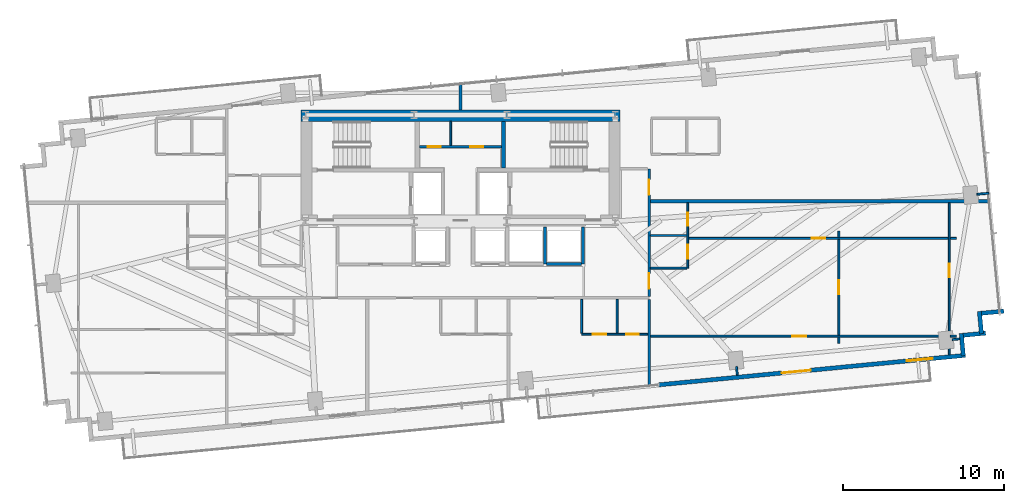
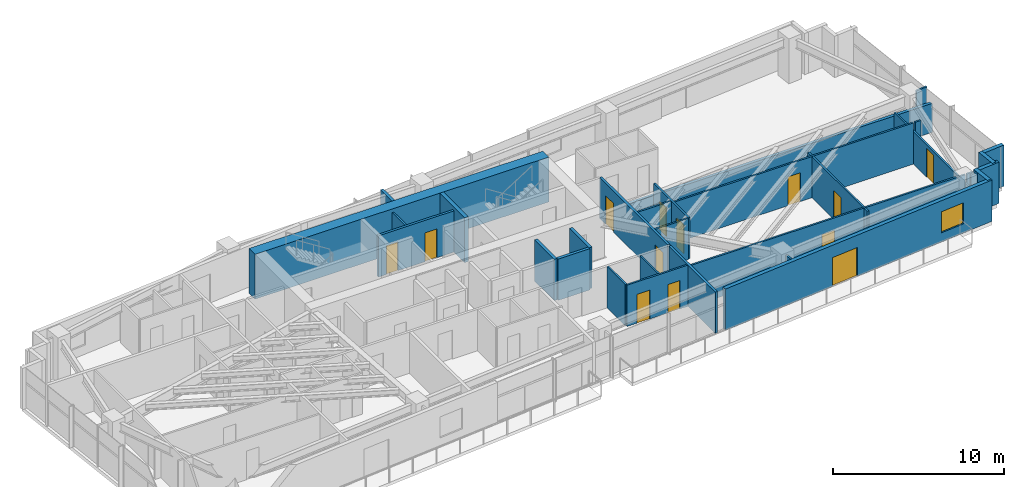
# One storey, part 23 of 27: 33 walls, 13 doors, 1 window, 14 openings.
"""IFC4 building model written with IfcOpenShell, lengths in metres."""

from ifc_helpers import new_model, si_unit, direction, frame, frame_2d, origin, place, context, subcontext, project, spatial, rectangle, extrude, source, transform, mapped, material, layer, layer_set, type_object, type_shapes, element, fill, save


model = new_model("IFC4")

# Units and contexts
model_context = context("Model", 3, precision=1e-05, world=origin(), true_north=direction((0.0, 1.0)))
body_context = subcontext(model_context, "Body", "Model", "MODEL_VIEW")
ifc_project = project(units=[si_unit("LENGTHUNIT", "METRE"), si_unit("AREAUNIT", "SQUARE_METRE"), si_unit("VOLUMEUNIT", "CUBIC_METRE"), si_unit("PLANEANGLEUNIT", "RADIAN"), si_unit("MASSUNIT", "GRAM", prefix="KILO")], contexts=[model_context])

# Site, building, storey
site_placement = place(None, origin())
site = spatial("IfcSite", under=ifc_project, at=site_placement, CompositionType="ELEMENT")
building_placement = place(site_placement, origin())
building = spatial("IfcBuilding", under=site, at=building_placement, Name="Astriad Promenade Condominiums", CompositionType="ELEMENT")
storey_placement = place(building_placement, frame((0.0, 0.0, 113.0)))
storey = spatial("IfcBuildingStorey", under=building, at=storey_placement, Name="L32", CompositionType="ELEMENT", Elevation=113.0)

# Walls
ifc_material_1 = material(Name="Concrete C60/75", Category="concrete")
ifc_layer_1 = layer(ifc_material_1, 0.699951171875)
ifc_layer_set_1 = layer_set([ifc_layer_1], Name="Concrete C60/75")
wall_type_1 = type_object("IfcWallType", Name="CW-SHEAR-700", PredefinedType="SHEAR", material=ifc_layer_set_1)
wall_1_placement = place(storey_placement, frame((26.10009765625, 23.949951171875, 0.0), z_axis=(0.0, 0.0, 1.0), x_axis=(1.0, 0.0, 0.0)))
element("IfcWall", 1, at=wall_1_placement, inside=storey, type_object=wall_type_1, Name="CW-CORE-N-L32", PredefinedType="SHEAR", context=body_context, shape_type="SweptSolid", body=[
    extrude(rectangle(XDim=19.7998046875, YDim=0.699951171875, at=frame_2d((9.89990234375, 0.0))), origin(), (0.0, 0.0, 1.0), 3.199951171875),
])
ifc_material_2 = material(Name="Concrete C50/60", Category="concrete")
ifc_layer_2 = layer(ifc_material_2, 0.25)
ifc_layer_set_2 = layer_set([ifc_layer_2], Name="Concrete C50/60")
wall_type_2 = type_object("IfcWallType", Name="WALL-CORE-INT-250", PredefinedType="SOLIDWALL", material=ifc_layer_set_2)
wall_2_placement = place(storey_placement, frame((38.675048828125, 20.701904296875, 0.0), z_axis=(0.0, 0.0, 1.0), x_axis=(0.0, 1.0, 0.0)))
element("IfcWall", 2, at=wall_2_placement, inside=storey, type_object=wall_type_2, Name="CW-ST2-W-L32", PredefinedType="SOLIDWALL", context=body_context, shape_type="SweptSolid", body=[
    extrude(rectangle(XDim=2.89599609375, YDim=0.25, at=frame_2d((1.447998046875, 0.0))), origin(), (0.0, 0.0, 1.0), 3.199951171875),
])

# Wall, openings, doors
ifc_material_3 = material(Name="Fire-Rated Gypsum Partition")
ifc_layer_3 = layer(ifc_material_3, 0.159912109375)
ifc_layer_set_3 = layer_set([ifc_layer_3], Name="Fire-Rated Gypsum Partition")
wall_type_3 = type_object("IfcWallType", Name="WALL-CORR-160", PredefinedType="PARTITIONING", material=ifc_layer_set_3)
wall_3_placement = place(storey_placement, frame((33.451904296875, 22.030029296875, 0.0), z_axis=(0.0, 0.0, 1.0), x_axis=(1.0, 0.0, 0.0)))
wall_3 = element("IfcWall", 3, at=wall_3_placement, inside=storey, type_object=wall_type_3, Name="CW-AUX-N-L32", PredefinedType="PARTITIONING", context=body_context, shape_type="SweptSolid", body=[
    extrude(rectangle(XDim=5.09619140625, YDim=0.159912109375, at=frame_2d((2.548095703125, 0.0))), origin(), (0.0, 0.0, 1.0), 2.93994140625),
])
opening_1_placement = place(wall_3_placement, frame((0.5380859375, 0.0, 0.0)))
opening_1 = element("IfcOpeningElement", 4, at=opening_1_placement, cuts=wall_3, Name="Opening FD60-SV-080", PredefinedType="OPENING", context=body_context, shape_type="SweptSolid", body=[
    extrude(rectangle(XDim=0.800048828125, YDim=2.050048828125, at=frame_2d((0.39990234375, 1.02490234375))), frame((0.0, 0.08984375, 0.0), z_axis=(0.0, -1.0, 0.0), x_axis=(1.0, 0.0, 0.0)), (0.0, 0.0, 1.0), 0.179931640625),
])
opening_2_placement = place(wall_3_placement, frame((3.157958984375, 0.0, 0.0)))
opening_2 = element("IfcOpeningElement", 5, at=opening_2_placement, cuts=wall_3, Name="Opening FD60-SV-080", PredefinedType="OPENING", context=body_context, shape_type="SweptSolid", body=[
    extrude(rectangle(XDim=0.800048828125, YDim=2.050048828125, at=frame_2d((0.39990234375, 1.02490234375))), frame((0.0, 0.08984375, 0.0), z_axis=(0.0, -1.0, 0.0), x_axis=(1.0, 0.0, 0.0)), (0.0, 0.0, 1.0), 0.179931640625),
])
ifc_material_4 = material(Name="Fire-Rated Riser Closet Door")
door_type_1 = type_object("IfcDoorType", Name="FD60-SV-080", OperationType="NOTDEFINED", PredefinedType="DOOR", material=ifc_material_4)
shared_shape_1 = source(origin(), body_context, "Body", "SweptSolid", [
    extrude(rectangle(XDim=0.800048828125, YDim=2.050048828125, at=frame_2d((0.39990234375, 1.02490234375))), frame((0.0, 0.02490234375, 0.0), z_axis=(0.0, -1.0, 0.0), x_axis=(1.0, 0.0, 0.0)), (0.0, 0.0, 1.0), 0.050048828125),
])
type_shapes(door_type_1, [shared_shape_1])
door_1_placement = place(opening_1_placement, origin())
door_1 = element("IfcDoor", 6, at=door_1_placement, inside=storey, type_object=door_type_1, Name="D-AUX1-L32", OperationType="SINGLE_SWING_RIGHT", OverallHeight=2.050048828125, OverallWidth=0.800048828125, PredefinedType="DOOR", context=body_context, shape_type="MappedRepresentation", body=[
    mapped(shared_shape_1, transform((0.0, 0.0, 0.0), scale=1.0)),
])
fill(opening_1, door_1)
door_2_placement = place(opening_2_placement, origin())
door_2 = element("IfcDoor", 7, at=door_2_placement, inside=storey, type_object=door_type_1, Name="D-AUX2-L32", OperationType="SINGLE_SWING_LEFT", OverallHeight=2.050048828125, OverallWidth=0.800048828125, PredefinedType="DOOR", context=body_context, shape_type="MappedRepresentation", body=[
    mapped(shared_shape_1, transform((0.0, 0.0, 0.0), scale=1.0)),
])
fill(opening_2, door_2)

# Wall
wall_4_placement = place(storey_placement, frame((47.699951171875, 7.152587890625, 0.0), z_axis=(0.0, 0.0, 1.0), x_axis=(0.0, 1.0, 0.0)))
element("IfcWall", 8, at=wall_4_placement, inside=storey, type_object=wall_type_3, Name="PT-COR-E-L32", PredefinedType="PARTITIONING", context=body_context, shape_type="SweptSolid", body=[
    extrude(rectangle(XDim=5.41552734375, YDim=0.159912109375, at=frame_2d((2.707763671875, 0.0))), origin(), (0.0, 0.0, 1.0), 2.93994140625),
])

# Wall, openings, doors
wall_5_placement = place(storey_placement, frame((47.699951171875, 12.73193359375, 0.0), z_axis=(0.0, 0.0, 1.0), x_axis=(0.0, 1.0, 0.0)))
wall_5 = element("IfcWall", 9, at=wall_5_placement, inside=storey, type_object=wall_type_3, Name="PT-COR-E-L32-S2", PredefinedType="PARTITIONING", context=body_context, shape_type="SweptSolid", body=[
    extrude(rectangle(XDim=7.91796875, YDim=0.159912109375, at=frame_2d((3.958984375, 0.0))), origin(), (0.0, 0.0, 1.0), 2.93994140625),
])
opening_3_placement = place(wall_5_placement, frame((0.492919921875, 0.0, 0.0)))
opening_3 = element("IfcOpeningElement", 10, at=opening_3_placement, cuts=wall_5, Name="Opening FD60-APT-095", PredefinedType="OPENING", context=body_context, shape_type="SweptSolid", body=[
    extrude(rectangle(XDim=0.949951171875, YDim=2.06005859375, at=frame_2d((0.47509765625, 1.030029296875))), frame((0.0, 0.08984375, 0.0), z_axis=(0.0, -1.0, 0.0), x_axis=(1.0, 0.0, 0.0)), (0.0, 0.0, 1.0), 0.179931640625),
])
opening_4_placement = place(wall_5_placement, frame((6.31103515625, 0.0, 0.0)))
opening_4 = element("IfcOpeningElement", 11, at=opening_4_placement, cuts=wall_5, Name="Opening FD60-APT-095", PredefinedType="OPENING", context=body_context, shape_type="SweptSolid", body=[
    extrude(rectangle(XDim=0.949951171875, YDim=2.06005859375, at=frame_2d((0.47509765625, 1.030029296875))), frame((0.0, 0.08984375, 0.0), z_axis=(0.0, -1.0, 0.0), x_axis=(1.0, 0.0, 0.0)), (0.0, 0.0, 1.0), 0.179931640625),
])
ifc_material_5 = material(Name="Solid-Core Acoustic Timber Residence Entry Door", Category="wood")
door_type_2 = type_object("IfcDoorType", Name="FD60-APT-095", OperationType="NOTDEFINED", PredefinedType="DOOR", material=ifc_material_5)
shared_shape_2 = source(origin(), body_context, "Body", "SweptSolid", [
    extrude(rectangle(XDim=0.949951171875, YDim=2.06005859375, at=frame_2d((0.47509765625, 1.030029296875))), frame((0.0, 0.02490234375, 0.0), z_axis=(0.0, -1.0, 0.0), x_axis=(1.0, 0.0, 0.0)), (0.0, 0.0, 1.0), 0.050048828125),
])
type_shapes(door_type_2, [shared_shape_2])
door_3_placement = place(opening_3_placement, origin())
door_3 = element("IfcDoor", 12, at=door_3_placement, inside=storey, type_object=door_type_2, Name="D-ENT-L32-E1", OperationType="SINGLE_SWING_LEFT", OverallHeight=2.06005859375, OverallWidth=0.949951171875, PredefinedType="DOOR", context=body_context, shape_type="MappedRepresentation", body=[
    mapped(shared_shape_2, transform((0.0, 0.0, 0.0), scale=1.0)),
])
fill(opening_3, door_3)
door_4_placement = place(opening_4_placement, origin())
door_4 = element("IfcDoor", 13, at=door_4_placement, inside=storey, type_object=door_type_2, Name="D-ENT-L32-E2", OperationType="SINGLE_SWING_RIGHT", OverallHeight=2.06005859375, OverallWidth=0.949951171875, PredefinedType="DOOR", context=body_context, shape_type="MappedRepresentation", body=[
    mapped(shared_shape_2, transform((0.0, 0.0, 0.0), scale=1.0)),
])
fill(opening_4, door_4)

# Walls
ifc_material_6 = material(Name="Acoustic Double-Stud Gypsum Partition")
ifc_layer_4 = layer(ifc_material_6, 0.199951171875)
ifc_layer_set_4 = layer_set([ifc_layer_4], Name="Acoustic Double-Stud Gypsum Partition")
wall_type_4 = type_object("IfcWallType", Name="WALL-DEMISING-200", PredefinedType="PARTITIONING", material=ifc_layer_set_4)
wall_6_placement = place(storey_placement, frame((36.0, 24.302001953125, 0.0), z_axis=(0.0, 0.0, 1.0), x_axis=(0.0, 1.0, 0.0)))
element("IfcWall", 14, at=wall_6_placement, inside=storey, type_object=wall_type_4, Name="PT-NC-MID-L32", PredefinedType="PARTITIONING", context=body_context, shape_type="SweptSolid", body=[
    extrude(rectangle(XDim=1.65576171875, YDim=0.199951171875, at=frame_2d((0.827880859375, 0.0))), origin(), (0.0, 0.0, 1.0), 2.93994140625),
])
wall_7_placement = place(storey_placement, frame((47.781982421875, 18.64990234375, 0.0), z_axis=(0.0, 0.0, 1.0), x_axis=(1.0, 0.0, 0.0)))
element("IfcWall", 15, at=wall_7_placement, inside=storey, type_object=wall_type_4, Name="PT-DEM-EE-L32", PredefinedType="PARTITIONING", context=body_context, shape_type="SweptSolid", body=[
    extrude(rectangle(XDim=21.04931640625, YDim=0.199951171875, at=frame_2d((10.524658203125, 0.0))), origin(), (0.0, 0.0, 1.0), 2.06298828125),
])
ifc_material_7 = material(Name="Precast concrete C50/60", Category="concrete")
ifc_layer_5 = layer(ifc_material_7, 0.260009765625)
ifc_layer_set_5 = layer_set([ifc_layer_5], Name="Precast concrete C50/60")
wall_type_5 = type_object("IfcWallType", Name="WALL-EXT-TWR-260", PredefinedType="STANDARD", material=ifc_layer_set_5)
for number, where, z_axis, x_axis, name in (
    (16, (69.698486328125, 11.83251953125, 0.0), (0.0, 0.0, 1.0), (-0.99540614245, -0.095742423056, 0.0), "W-SER-L32-14"),
    (17, (68.18310546875, 11.817138671875, 0.0), (0.0, 0.0, 1.0), (0.095915846097, -0.995389446633, 0.0), "W-SER-L32-15"),
):
    element("IfcWall", number, at=place(storey_placement, frame(where, z_axis=z_axis, x_axis=x_axis)), inside=storey, type_object=wall_type_5, Name=name, PredefinedType="STANDARD", context=body_context, shape_type="SweptSolid", body=[
        extrude(rectangle(XDim=1.394775390625, YDim=0.260009765625, at=frame_2d((0.697265625, 0.0))), origin(), (0.0, 0.0, 1.0), 2.93994140625),
    ])
wall_8_placement = place(storey_placement, frame((68.57421875, 10.468505859375, 0.0), z_axis=(0.0, 0.0, 1.0), x_axis=(-0.99540774648, -0.095725744959, 0.0)))
element("IfcWall", 18, at=wall_8_placement, inside=storey, type_object=wall_type_5, Name="W-SER-L32-16", PredefinedType="STANDARD", context=body_context, shape_type="SweptSolid", body=[
    extrude(rectangle(XDim=1.39501953125, YDim=0.260009765625, at=frame_2d((0.697509765625, 0.0))), origin(), (0.0, 0.0, 1.0), 2.93994140625),
])
wall_9_placement = place(storey_placement, frame((67.05859375, 10.453125, 0.0), z_axis=(0.0, 0.0, 1.0), x_axis=(0.095915846097, -0.995389446633, 0.0)))
element("IfcWall", 19, at=wall_9_placement, inside=storey, type_object=wall_type_5, Name="W-SER-L32-17", PredefinedType="STANDARD", context=body_context, shape_type="SweptSolid", body=[
    extrude(rectangle(XDim=1.394775390625, YDim=0.260009765625, at=frame_2d((0.697265625, 0.0))), origin(), (0.0, 0.0, 1.0), 2.93994140625),
])

# Wall, openings, door, window
wall_10_placement = place(storey_placement, frame((67.3203125, 9.092041015625, 0.0), z_axis=(0.0, 0.0, 1.0), x_axis=(-0.995396521236, -0.095842399342, 0.0)))
wall_10 = element("IfcWall", 20, at=wall_10_placement, inside=storey, type_object=wall_type_5, Name="W-EXT-L32-S1", PredefinedType="STANDARD", context=body_context, shape_type="SweptSolid", body=[
    extrude(rectangle(XDim=19.10986328125, YDim=0.260009765625, at=frame_2d((9.554931640625, 0.0))), origin(), (0.0, 0.0, 1.0), 2.93994140625),
])
opening_5_placement = place(wall_10_placement, frame((9.65087890625, 0.0, 0.0)))
opening_5 = element("IfcOpeningElement", 21, at=opening_5_placement, cuts=wall_10, Name="Opening BD-1822-SLD", PredefinedType="OPENING", context=body_context, shape_type="SweptSolid", body=[
    extrude(rectangle(XDim=1.800048828125, YDim=2.06005859375, at=frame_2d((0.89990234375, 1.030029296875))), frame((0.0, 0.139892578125, 0.0), z_axis=(0.0, -1.0, 0.0), x_axis=(1.0, 0.0, 0.0)), (0.0, 0.0, 1.0), 0.280029296875),
])
opening_6_placement = place(wall_10_placement, frame((2.050048828125, 0.0, 0.64990234375)))
opening_6 = element("IfcOpeningElement", 22, at=opening_6_placement, cuts=wall_10, Name="Opening WIN-TWR-1620", PredefinedType="OPENING", context=body_context, shape_type="SweptSolid", body=[
    extrude(rectangle(XDim=1.60009765625, YDim=1.5, at=frame_2d((0.800048828125, 0.75))), frame((0.0, 0.139892578125, 0.0), z_axis=(0.0, -1.0, 0.0), x_axis=(1.0, 0.0, 0.0)), (0.0, 0.0, 1.0), 0.280029296875),
])
ifc_material_8 = material(Name="Thermally Broken Aluminium Sliding Balcony Door", Category="aluminium")
door_type_3 = type_object("IfcDoorType", Name="BD-1822-SLD", OperationType="NOTDEFINED", PredefinedType="DOOR", material=ifc_material_8)
shared_shape_3 = source(origin(), body_context, "Body", "SweptSolid", [
    extrude(rectangle(XDim=1.800048828125, YDim=2.06005859375, at=frame_2d((0.89990234375, 1.030029296875))), frame((0.0, 0.02490234375, 0.0), z_axis=(0.0, -1.0, 0.0), x_axis=(1.0, 0.0, 0.0)), (0.0, 0.0, 1.0), 0.050048828125),
])
type_shapes(door_type_3, [shared_shape_3])
door_5_placement = place(opening_5_placement, origin())
door_5 = element("IfcDoor", 23, at=door_5_placement, inside=storey, type_object=door_type_3, Name="BD-L32-SE", OperationType="SLIDING_TO_RIGHT", OverallHeight=2.06005859375, OverallWidth=1.800048828125, PredefinedType="DOOR", context=body_context, shape_type="MappedRepresentation", body=[
    mapped(shared_shape_3, transform((0.0, 0.0, 0.0), scale=1.0)),
])
fill(opening_5, door_5)
ifc_material_9 = material(Name="Dark Tinted Triple-Glazed Aluminium Window", Category="aluminium")
window_type = type_object("IfcWindowType", Name="WIN-TWR-1620", PartitioningType="SINGLE_PANEL", PredefinedType="WINDOW", material=ifc_material_9)
shared_shape_4 = source(origin(), body_context, "Body", "SweptSolid", [
    extrude(rectangle(XDim=1.60009765625, YDim=1.5, at=frame_2d((0.800048828125, 0.75))), frame((0.0, 0.030029296875, 0.0), z_axis=(0.0, -1.0, 0.0), x_axis=(1.0, 0.0, 0.0)), (0.0, 0.0, 1.0), 0.06005859375),
])
type_shapes(window_type, [shared_shape_4])
window_placement = place(opening_6_placement, origin())
window = element("IfcWindow", 24, at=window_placement, inside=storey, type_object=window_type, Name="WIN-L32-SE", OverallHeight=1.5, OverallWidth=1.60009765625, PartitioningType="SINGLE_PANEL", PredefinedType="WINDOW", context=body_context, shape_type="MappedRepresentation", body=[
    mapped(shared_shape_4, transform((0.0, 0.0, 0.0), scale=1.0)),
])
fill(opening_6, window)

# Wall
ifc_material_10 = material(Name="Acoustic Metal-Stud Gypsum Partition")
ifc_layer_6 = layer(ifc_material_10, 0.1201171875)
ifc_layer_set_6 = layer_set([ifc_layer_6], Name="Acoustic Metal-Stud Gypsum Partition")
wall_type_6 = type_object("IfcWallType", Name="WALL-PART-120", PredefinedType="PARTITIONING", material=ifc_layer_set_6)
wall_11_placement = place(storey_placement, frame((35.39990234375, 22.112060546875, 0.0), z_axis=(0.0, 0.0, 1.0), x_axis=(0.0, 1.0, 0.0)))
element("IfcWall", 25, at=wall_11_placement, inside=storey, type_object=wall_type_6, Name="CW-AUX-V1-L32", PredefinedType="PARTITIONING", context=body_context, shape_type="SweptSolid", body=[
    extrude(rectangle(XDim=1.48583984375, YDim=0.1201171875, at=frame_2d((0.742919921875, 0.0))), origin(), (0.0, 0.0, 1.0), 2.93994140625),
])

# Wall, openings, doors
wall_12_placement = place(storey_placement, frame((43.52001953125, 10.39990234375, 0.0), z_axis=(0.0, 0.0, 1.0), x_axis=(1.0, 0.0, 0.0)))
wall_12 = element("IfcWall", 26, at=wall_12_placement, inside=storey, type_object=wall_type_6, Name="PT-L32-S3-PS", PredefinedType="PARTITIONING", context=body_context, shape_type="SweptSolid", body=[
    extrude(rectangle(XDim=4.097900390625, YDim=0.1201171875, at=frame_2d((2.048828125, 0.0))), origin(), (0.0, 0.0, 1.0), 2.93994140625),
])
opening_7_placement = place(wall_12_placement, frame((0.675048828125, 0.0, 0.0)))
opening_7 = element("IfcOpeningElement", 27, at=opening_7_placement, cuts=wall_12, Name="Opening D-INT-085", PredefinedType="OPENING", context=body_context, shape_type="SweptSolid", body=[
    extrude(rectangle(XDim=0.85009765625, YDim=2.050048828125, at=frame_2d((0.425048828125, 1.02490234375))), frame((0.0, 0.070068359375, 0.0), z_axis=(0.0, -1.0, 0.0), x_axis=(1.0, 0.0, 0.0)), (0.0, 0.0, 1.0), 0.14013671875),
])
opening_8_placement = place(wall_12_placement, frame((2.75, 0.0, 0.0)))
opening_8 = element("IfcOpeningElement", 28, at=opening_8_placement, cuts=wall_12, Name="Opening D-WET-080", PredefinedType="OPENING", context=body_context, shape_type="SweptSolid", body=[
    extrude(rectangle(XDim=0.800048828125, YDim=2.02001953125, at=frame_2d((0.39990234375, 1.010009765625))), frame((0.0, 0.070068359375, 0.0), z_axis=(0.0, -1.0, 0.0), x_axis=(1.0, 0.0, 0.0)), (0.0, 0.0, 1.0), 0.14013671875),
])
ifc_material_11 = material(Name="Moisture-Resistant Timber Bathroom Door", Category="wood")
door_type_4 = type_object("IfcDoorType", Name="D-WET-080", OperationType="NOTDEFINED", PredefinedType="DOOR", material=ifc_material_11)
shared_shape_5 = source(origin(), body_context, "Body", "SweptSolid", [
    extrude(rectangle(XDim=0.800048828125, YDim=2.02001953125, at=frame_2d((0.39990234375, 1.010009765625))), frame((0.0, 0.02490234375, 0.0), z_axis=(0.0, -1.0, 0.0), x_axis=(1.0, 0.0, 0.0)), (0.0, 0.0, 1.0), 0.050048828125),
])
type_shapes(door_type_4, [shared_shape_5])
door_6_placement = place(opening_8_placement, origin())
door_6 = element("IfcDoor", 29, at=door_6_placement, inside=storey, type_object=door_type_4, Name="D-BTH-L32-S3", OperationType="SINGLE_SWING_LEFT", OverallHeight=2.02001953125, OverallWidth=0.800048828125, PredefinedType="DOOR", context=body_context, shape_type="MappedRepresentation", body=[
    mapped(shared_shape_5, transform((0.0, 0.0, 0.0), scale=1.0)),
])
fill(opening_8, door_6)
ifc_material_12 = material(Name="Painted Solid-Core Timber Room Door", Category="wood")
door_type_5 = type_object("IfcDoorType", Name="D-INT-085", OperationType="NOTDEFINED", PredefinedType="DOOR", material=ifc_material_12)
shared_shape_6 = source(origin(), body_context, "Body", "SweptSolid", [
    extrude(rectangle(XDim=0.85009765625, YDim=2.050048828125, at=frame_2d((0.425048828125, 1.02490234375))), frame((0.0, 0.02490234375, 0.0), z_axis=(0.0, -1.0, 0.0), x_axis=(1.0, 0.0, 0.0)), (0.0, 0.0, 1.0), 0.050048828125),
])
type_shapes(door_type_5, [shared_shape_6])
door_7_placement = place(opening_7_placement, origin())
door_7 = element("IfcDoor", 30, at=door_7_placement, inside=storey, type_object=door_type_5, Name="D-KIT-L32-S3", OperationType="SINGLE_SWING_RIGHT", OverallHeight=2.050048828125, OverallWidth=0.85009765625, PredefinedType="DOOR", context=body_context, shape_type="MappedRepresentation", body=[
    mapped(shared_shape_6, transform((0.0, 0.0, 0.0), scale=1.0)),
])
fill(opening_7, door_7)

# Walls
for number, where, z_axis, x_axis, name in (
    (31, (43.52001953125, 10.4619140625, 0.0), (0.0, 0.0, 1.0), (0.0, 1.0, 0.0), "PT-L32-S3-PK"),
    (32, (45.719970703125, 10.4619140625, 0.0), (0.0, 0.0, 1.0), (0.0, 1.0, 0.0), "PT-L32-S3-PB"),
):
    element("IfcWall", number, at=place(storey_placement, frame(where, z_axis=z_axis, x_axis=x_axis)), inside=storey, type_object=wall_type_6, Name=name, PredefinedType="PARTITIONING", context=body_context, shape_type="SweptSolid", body=[
        extrude(rectangle(XDim=2.106201171875, YDim=0.1201171875, at=frame_2d((1.05322265625, 0.0))), origin(), (0.0, 0.0, 1.0), 2.93994140625),
    ])

# Wall, openings, doors
wall_13_placement = place(storey_placement, frame((50.10009765625, 14.5, 0.0), z_axis=(0.0, 0.0, 1.0), x_axis=(0.0, 1.0, 0.0)))
wall_13 = element("IfcWall", 33, at=wall_13_placement, inside=storey, type_object=wall_type_6, Name="PT-L32-E1-PV", PredefinedType="PARTITIONING", context=body_context, shape_type="SweptSolid", body=[
    extrude(rectangle(XDim=4.048095703125, YDim=0.1201171875, at=frame_2d((2.02392578125, 0.0))), origin(), (0.0, 0.0, 1.0), 2.93994140625),
])
opening_9_placement = place(wall_13_placement, frame((0.5869140625, 0.0, 0.0)))
opening_9 = element("IfcOpeningElement", 34, at=opening_9_placement, cuts=wall_13, Name="Opening D-INT-085", PredefinedType="OPENING", context=body_context, shape_type="SweptSolid", body=[
    extrude(rectangle(XDim=0.85009765625, YDim=2.050048828125, at=frame_2d((0.425048828125, 1.02490234375))), frame((0.0, 0.070068359375, 0.0), z_axis=(0.0, -1.0, 0.0), x_axis=(1.0, 0.0, 0.0)), (0.0, 0.0, 1.0), 0.14013671875),
])
opening_10_placement = place(wall_13_placement, frame((2.637939453125, 0.0, 0.0)))
opening_10 = element("IfcOpeningElement", 35, at=opening_10_placement, cuts=wall_13, Name="Opening D-WET-080", PredefinedType="OPENING", context=body_context, shape_type="SweptSolid", body=[
    extrude(rectangle(XDim=0.800048828125, YDim=2.02001953125, at=frame_2d((0.39990234375, 1.010009765625))), frame((0.0, 0.070068359375, 0.0), z_axis=(0.0, -1.0, 0.0), x_axis=(1.0, 0.0, 0.0)), (0.0, 0.0, 1.0), 0.14013671875),
])
door_8_placement = place(opening_10_placement, origin())
door_8 = element("IfcDoor", 36, at=door_8_placement, inside=storey, type_object=door_type_4, Name="D-BTH-L32-E1", OperationType="SINGLE_SWING_LEFT", OverallHeight=2.02001953125, OverallWidth=0.800048828125, PredefinedType="DOOR", context=body_context, shape_type="MappedRepresentation", body=[
    mapped(shared_shape_5, transform((0.0, 0.0, 0.0), scale=1.0)),
])
fill(opening_10, door_8)
door_9_placement = place(opening_9_placement, origin())
door_9 = element("IfcDoor", 37, at=door_9_placement, inside=storey, type_object=door_type_5, Name="D-KIT-L32-E1", OperationType="SINGLE_SWING_RIGHT", OverallHeight=2.050048828125, OverallWidth=0.85009765625, PredefinedType="DOOR", context=body_context, shape_type="MappedRepresentation", body=[
    mapped(shared_shape_6, transform((0.0, 0.0, 0.0), scale=1.0)),
])
fill(opening_9, door_9)

# Walls
for number, where, z_axis, x_axis, name in (
    (38, (47.781982421875, 16.52490234375, 0.0), (0.0, 0.0, 1.0), (1.0, 0.0, 0.0), "PT-L32-E1-PM"),
    (39, (47.781982421875, 14.5, 0.0), (0.0, 0.0, 1.0), (1.0, 0.0, 0.0), "PT-L32-E1-PS"),
):
    element("IfcWall", number, at=place(storey_placement, frame(where, z_axis=z_axis, x_axis=x_axis)), inside=storey, type_object=wall_type_6, Name=name, PredefinedType="PARTITIONING", context=body_context, shape_type="SweptSolid", body=[
        extrude(rectangle(XDim=2.256103515625, YDim=0.1201171875, at=frame_2d((1.1279296875, 0.0))), origin(), (0.0, 0.0, 1.0), 2.93994140625),
    ])

# Wall, opening, door
wall_14_placement = place(storey_placement, frame((66.31591796875, 9.1279296875, 0.0), z_axis=(0.0, 0.0, 1.0), x_axis=(0.0, 1.0, 0.0)))
wall_14 = element("IfcWall", 40, at=wall_14_placement, inside=storey, type_object=wall_type_6, Name="PT-L32-E1-B1", PredefinedType="PARTITIONING", context=body_context, shape_type="SweptSolid", body=[
    extrude(rectangle(XDim=9.420166015625, YDim=0.1201171875, at=frame_2d((4.7099609375, 0.0))), origin(), (0.0, 0.0, 1.0), 2.309814453125),
])
opening_11_placement = place(wall_14_placement, frame((4.798095703125, 0.0, 0.0)))
opening_11 = element("IfcOpeningElement", 41, at=opening_11_placement, cuts=wall_14, Name="Opening D-INT-085", PredefinedType="OPENING", context=body_context, shape_type="SweptSolid", body=[
    extrude(rectangle(XDim=0.85009765625, YDim=2.050048828125, at=frame_2d((0.425048828125, 1.02490234375))), frame((0.0, 0.070068359375, 0.0), z_axis=(0.0, -1.0, 0.0), x_axis=(1.0, 0.0, 0.0)), (0.0, 0.0, 1.0), 0.14013671875),
])
door_10_placement = place(opening_11_placement, origin())
door_10 = element("IfcDoor", 42, at=door_10_placement, inside=storey, type_object=door_type_5, Name="D-BD1-L32-E1", OperationType="SINGLE_SWING_RIGHT", OverallHeight=2.050048828125, OverallWidth=0.85009765625, PredefinedType="DOOR", context=body_context, shape_type="MappedRepresentation", body=[
    mapped(shared_shape_6, transform((0.0, 0.0, 0.0), scale=1.0)),
])
fill(opening_11, door_10)

wall_15_placement = place(storey_placement, frame((47.781982421875, 10.281005859375, 0.0), z_axis=(0.0, 0.0, 1.0), x_axis=(1.0, 0.0, 0.0)))
wall_15 = element("IfcWall", 43, at=wall_15_placement, inside=storey, type_object=wall_type_6, Name="PT-L32-E1-WDS1", PredefinedType="PARTITIONING", context=body_context, shape_type="SweptSolid", body=[
    extrude(rectangle(XDim=18.471923828125, YDim=0.1201171875, at=frame_2d((9.23583984375, 0.0))), origin(), (0.0, 0.0, 1.0), 2.93994140625),
])
opening_12_placement = place(wall_15_placement, frame((8.81103515625, 0.0, 0.0)))
opening_12 = element("IfcOpeningElement", 44, at=opening_12_placement, cuts=wall_15, Name="Opening D-INT-085", PredefinedType="OPENING", context=body_context, shape_type="SweptSolid", body=[
    extrude(rectangle(XDim=0.85009765625, YDim=2.050048828125, at=frame_2d((0.425048828125, 1.02490234375))), frame((0.0, 0.070068359375, 0.0), z_axis=(0.0, -1.0, 0.0), x_axis=(1.0, 0.0, 0.0)), (0.0, 0.0, 1.0), 0.14013671875),
])
door_11_placement = place(opening_12_placement, origin())
door_11 = element("IfcDoor", 45, at=door_11_placement, inside=storey, type_object=door_type_5, Name="D-WDS1-L32-E1", OperationType="SINGLE_SWING_LEFT", OverallHeight=2.050048828125, OverallWidth=0.85009765625, PredefinedType="DOOR", context=body_context, shape_type="MappedRepresentation", body=[
    mapped(shared_shape_6, transform((0.0, 0.0, 0.0), scale=1.0)),
])
fill(opening_12, door_11)

# Wall
wall_16_placement = place(storey_placement, frame((66.3779296875, 10.281005859375, 0.0), z_axis=(0.0, 0.0, 1.0), x_axis=(1.0, 0.0, 0.0)))
element("IfcWall", 46, at=wall_16_placement, inside=storey, type_object=wall_type_6, Name="PT-L32-E1-WDS1-S2", PredefinedType="PARTITIONING", context=body_context, shape_type="SweptSolid", body=[
    extrude(rectangle(XDim=0.378173828125, YDim=0.1201171875, at=frame_2d((0.18896484375, 0.0))), origin(), (0.0, 0.0, 1.0), 2.93994140625),
])

# Wall, opening, door
wall_17_placement = place(storey_placement, frame((50.162109375, 16.35009765625, 0.0), z_axis=(0.0, 0.0, 1.0), x_axis=(1.0, 0.0, 0.0)))
wall_17 = element("IfcWall", 47, at=wall_17_placement, inside=storey, type_object=wall_type_6, Name="PT-L32-E1-WDN2", PredefinedType="PARTITIONING", context=body_context, shape_type="SweptSolid", body=[
    extrude(rectangle(XDim=16.091796875, YDim=0.1201171875, at=frame_2d((8.0458984375, 0.0))), origin(), (0.0, 0.0, 1.0), 2.93994140625),
])
opening_13_placement = place(wall_17_placement, frame((7.62109375, 0.0, 0.0)))
opening_13 = element("IfcOpeningElement", 48, at=opening_13_placement, cuts=wall_17, Name="Opening D-INT-085", PredefinedType="OPENING", context=body_context, shape_type="SweptSolid", body=[
    extrude(rectangle(XDim=0.85009765625, YDim=2.050048828125, at=frame_2d((0.425048828125, 1.02490234375))), frame((0.0, 0.070068359375, 0.0), z_axis=(0.0, -1.0, 0.0), x_axis=(1.0, 0.0, 0.0)), (0.0, 0.0, 1.0), 0.14013671875),
])
door_12_placement = place(opening_13_placement, origin())
door_12 = element("IfcDoor", 49, at=door_12_placement, inside=storey, type_object=door_type_5, Name="D-WDN2-L32-E1", OperationType="SINGLE_SWING_RIGHT", OverallHeight=2.050048828125, OverallWidth=0.85009765625, PredefinedType="DOOR", context=body_context, shape_type="MappedRepresentation", body=[
    mapped(shared_shape_6, transform((0.0, 0.0, 0.0), scale=1.0)),
])
fill(opening_13, door_12)

# Walls
wall_18_placement = place(storey_placement, frame((66.3779296875, 16.35009765625, 0.0), z_axis=(0.0, 0.0, 1.0), x_axis=(1.0, 0.0, 0.0)))
element("IfcWall", 50, at=wall_18_placement, inside=storey, type_object=wall_type_6, Name="PT-L32-E1-WDN2-S2", PredefinedType="PARTITIONING", context=body_context, shape_type="SweptSolid", body=[
    extrude(rectangle(XDim=0.378173828125, YDim=0.1201171875, at=frame_2d((0.18896484375, 0.0))), origin(), (0.0, 0.0, 1.0), 2.93994140625),
])
wall_19_placement = place(storey_placement, frame((59.469970703125, 9.841064453125, 0.0), z_axis=(0.0, 0.0, 1.0), x_axis=(0.0, 1.0, 0.0)))
element("IfcWall", 51, at=wall_19_placement, inside=storey, type_object=wall_type_6, Name="PT-L32-E1-WDV3", PredefinedType="PARTITIONING", context=body_context, shape_type="SweptSolid", body=[
    extrude(rectangle(XDim=0.3779296875, YDim=0.1201171875, at=frame_2d((0.18896484375, 0.0))), origin(), (0.0, 0.0, 1.0), 2.93994140625),
])

# Wall, opening, door
wall_20_placement = place(storey_placement, frame((59.469970703125, 10.343017578125, 0.0), z_axis=(0.0, 0.0, 1.0), x_axis=(0.0, 1.0, 0.0)))
wall_20 = element("IfcWall", 52, at=wall_20_placement, inside=storey, type_object=wall_type_6, Name="PT-L32-E1-WDV3-S2", PredefinedType="PARTITIONING", context=body_context, shape_type="SweptSolid", body=[
    extrude(rectangle(XDim=5.945068359375, YDim=0.1201171875, at=frame_2d((2.97265625, 0.0))), origin(), (0.0, 0.0, 1.0), 2.93994140625),
])
opening_14_placement = place(wall_20_placement, frame((2.548095703125, 0.0, 0.0)))
opening_14 = element("IfcOpeningElement", 53, at=opening_14_placement, cuts=wall_20, Name="Opening D-INT-085", PredefinedType="OPENING", context=body_context, shape_type="SweptSolid", body=[
    extrude(rectangle(XDim=0.85009765625, YDim=2.050048828125, at=frame_2d((0.425048828125, 1.02490234375))), frame((0.0, 0.070068359375, 0.0), z_axis=(0.0, -1.0, 0.0), x_axis=(1.0, 0.0, 0.0)), (0.0, 0.0, 1.0), 0.14013671875),
])
door_13_placement = place(opening_14_placement, origin())
door_13 = element("IfcDoor", 54, at=door_13_placement, inside=storey, type_object=door_type_5, Name="D-WDV3-L32-E1", OperationType="SINGLE_SWING_LEFT", OverallHeight=2.050048828125, OverallWidth=0.85009765625, PredefinedType="DOOR", context=body_context, shape_type="MappedRepresentation", body=[
    mapped(shared_shape_6, transform((0.0, 0.0, 0.0), scale=1.0)),
])
fill(opening_14, door_13)

# Walls
wall_21_placement = place(storey_placement, frame((59.469970703125, 16.412109375, 0.0), z_axis=(0.0, 0.0, 1.0), x_axis=(0.0, 1.0, 0.0)))
element("IfcWall", 55, at=wall_21_placement, inside=storey, type_object=wall_type_6, Name="PT-L32-E1-WDV3-S3", PredefinedType="PARTITIONING", context=body_context, shape_type="SweptSolid", body=[
    extrude(rectangle(XDim=0.3779296875, YDim=0.1201171875, at=frame_2d((0.18896484375, 0.0))), origin(), (0.0, 0.0, 1.0), 2.93994140625),
])
wall_22_placement = place(storey_placement, frame((53.121337890625, 8.39794921875, 0.0), z_axis=(0.0, 0.0, 1.0), x_axis=(0.096179204763, -0.995364034196, 0.0)))
element("IfcWall", 56, at=wall_22_placement, inside=storey, type_object=wall_type_6, Name="PT-PIL-L32-PC04-11", PredefinedType="PARTITIONING", context=body_context, shape_type="SweptSolid", body=[
    extrude(rectangle(XDim=0.5380859375, YDim=0.1201171875, at=frame_2d((0.26904296875, 0.0))), origin(), (0.0, 0.0, 1.0), 2.93994140625),
])
wall_23_placement = place(storey_placement, frame((66.5029296875, 10.068115234375, 0.0), z_axis=(0.0, 0.0, 1.0), x_axis=(0.995389482415, 0.095915474751, 0.0)))
element("IfcWall", 57, at=wall_23_placement, inside=storey, type_object=wall_type_6, Name="PT-PIL-L32-PC05-12", PredefinedType="PARTITIONING", context=body_context, shape_type="SweptSolid", body=[
    extrude(rectangle(XDim=0.458251953125, YDim=0.1201171875, at=frame_2d((0.22900390625, 0.0))), origin(), (0.0, 0.0, 1.0), 2.93994140625),
])
wall_24_placement = place(storey_placement, frame((68.026611328125, 19.07568359375, 0.0), z_axis=(0.0, 0.0, 1.0), x_axis=(0.995377786728, 0.096036772582, 0.0)))
element("IfcWall", 58, at=wall_24_placement, inside=storey, type_object=wall_type_6, Name="PT-PIL-L32-PC12-19", PredefinedType="PARTITIONING", context=body_context, shape_type="SweptSolid", body=[
    extrude(rectangle(XDim=0.760009765625, YDim=0.1201171875, at=frame_2d((0.3798828125, 0.0))), origin(), (0.0, 0.0, 1.0), 2.93994140625),
])
ifc_material_13 = material(Name="Gypsum Shaftliner Assembly")
ifc_layer_7 = layer(ifc_material_13, 0.199951171875)
ifc_layer_set_7 = layer_set([ifc_layer_7], Name="Gypsum Shaftliner Assembly")
wall_type_7 = type_object("IfcWallType", Name="WALL-SHAFT-200", PredefinedType="PARTITIONING", material=ifc_layer_set_7)
for number, where, z_axis, x_axis, name in (
    (59, (41.25, 14.75, 0.0), (0.0, 0.0, 1.0), (0.0, 1.0, 0.0), "PL-H-DIV-L32"),
    (60, (43.60009765625, 14.75, 0.0), (0.0, 0.0, 1.0), (0.0, 1.0, 0.0), "PL-E-OUT-L32"),
):
    element("IfcWall", number, at=place(storey_placement, frame(where, z_axis=z_axis, x_axis=x_axis)), inside=storey, type_object=wall_type_7, Name=name, PredefinedType="PARTITIONING", context=body_context, shape_type="SweptSolid", body=[
        extrude(rectangle(XDim=2.300048828125, YDim=0.199951171875, at=frame_2d((1.14990234375, 0.0))), origin(), (0.0, 0.0, 1.0), 2.93994140625),
    ])
wall_25_placement = place(storey_placement, frame((41.35205078125, 14.75, 0.0), z_axis=(0.0, 0.0, 1.0), x_axis=(1.0, 0.0, 0.0)))
element("IfcWall", 61, at=wall_25_placement, inside=storey, type_object=wall_type_7, Name="PL-H-FRT-L32-S2", PredefinedType="PARTITIONING", context=body_context, shape_type="SweptSolid", body=[
    extrude(rectangle(XDim=2.14599609375, YDim=0.199951171875, at=frame_2d((1.072998046875, 0.0))), origin(), (0.0, 0.0, 1.0), 2.93994140625),
])

save(model, "model.ifc")
